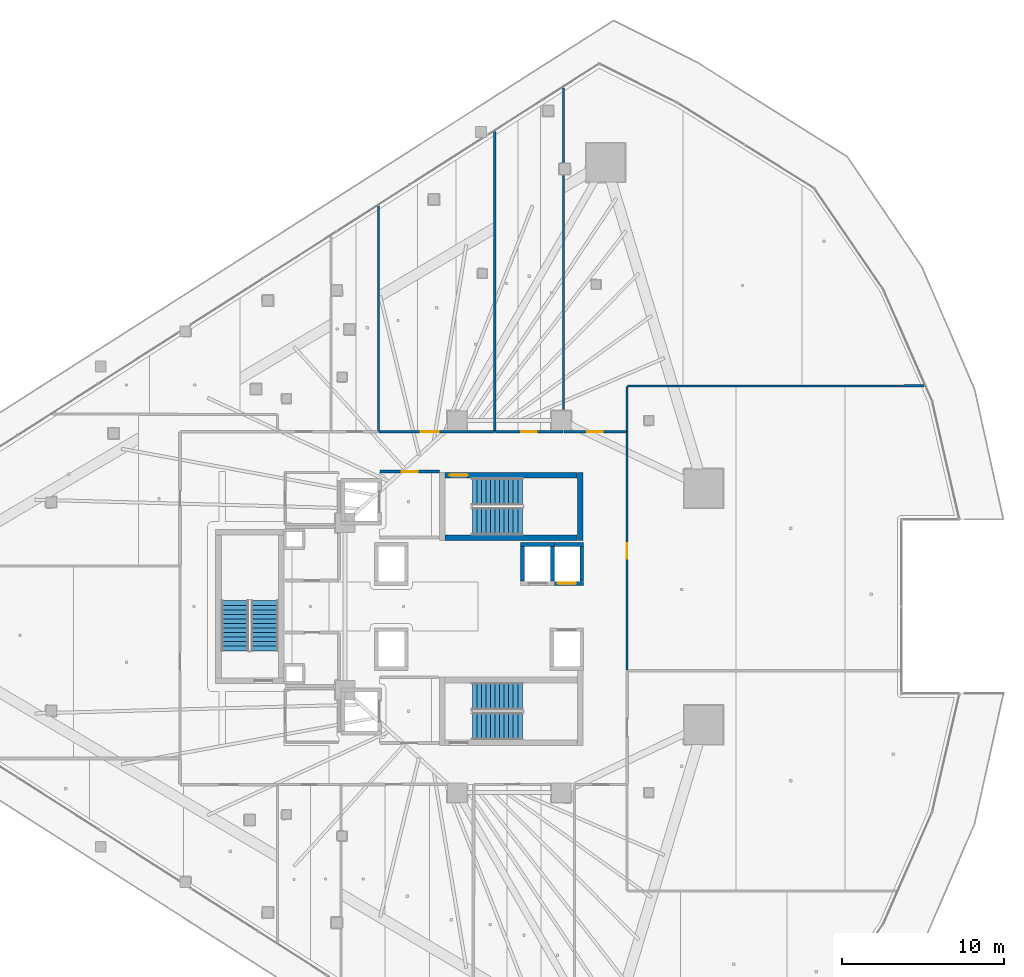
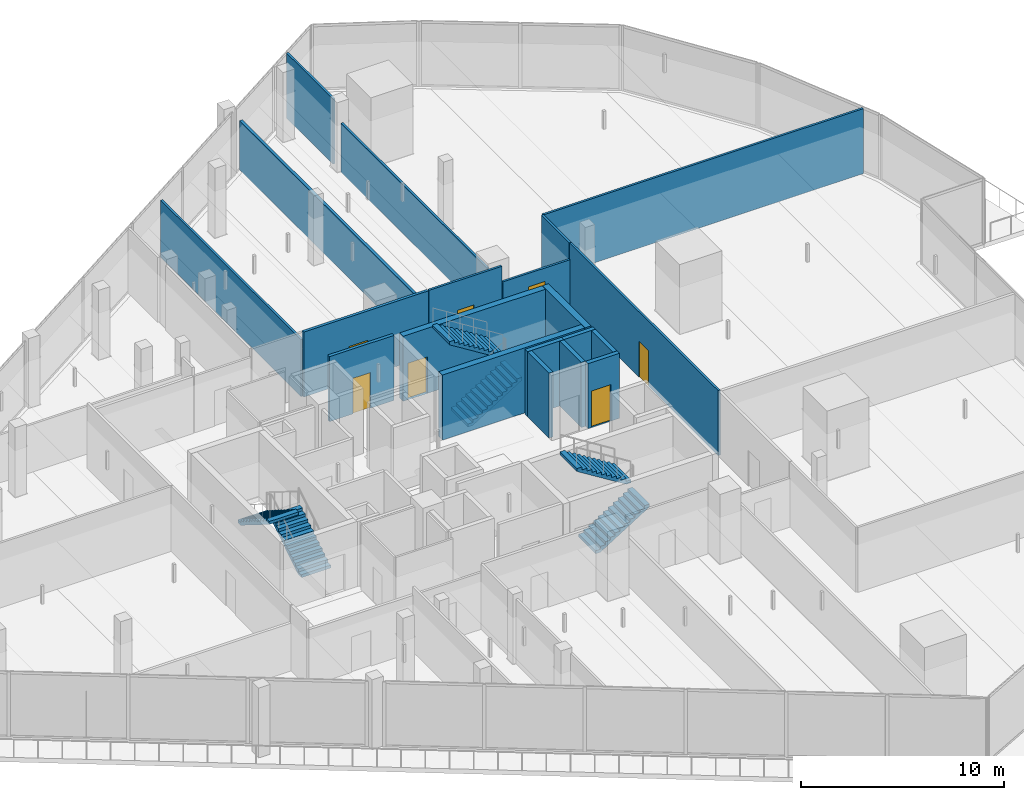
# One storey, part 31 of 44: 20 walls, 7 doors, 6 stair flights, 7 openings, 3 elements without a shape of their own.
"""IFC4 building model written with IfcOpenShell, lengths in metres."""

from ifc_helpers import new_model, si_unit, direction, frame, frame_2d, origin, place, context, subcontext, project, spatial, polyline, rectangle, outline, extrude, material, layer, layer_set, type_object, element, fill, aggregate, save


model = new_model("IFC4")

# Units and contexts
model_context = context("Model", 3, precision=1e-05, world=origin(), true_north=direction((0.0, 1.0)))
body_context = subcontext(model_context, "Body", "Model", "MODEL_VIEW")
ifc_project = project(units=[si_unit("LENGTHUNIT", "METRE"), si_unit("AREAUNIT", "SQUARE_METRE"), si_unit("VOLUMEUNIT", "CUBIC_METRE"), si_unit("PLANEANGLEUNIT", "RADIAN"), si_unit("MASSUNIT", "GRAM", prefix="KILO")], contexts=[model_context])

# Site, building, storey
site_placement = place(None, origin())
site = spatial("IfcSite", under=ifc_project, at=site_placement, CompositionType="ELEMENT")
building_placement = place(site_placement, origin())
building = spatial("IfcBuilding", under=site, at=building_placement, Name="Qorvath Tower", CompositionType="ELEMENT")
storey_placement = place(building_placement, frame((0.0, 0.0, 53.39990234375)))
storey = spatial("IfcBuildingStorey", under=building, at=storey_placement, Name="L11", CompositionType="ELEMENT", Elevation=53.39990234375)

# Wall, opening, door
ifc_material_1 = material(Name="Gypsum shaftliner on steel studs", Category="steel")
ifc_layer_1 = layer(ifc_material_1, 0.179931640625)
ifc_layer_set_1 = layer_set([ifc_layer_1], Name="FW-LOBBY")
wall_type_1 = type_object("IfcWallType", Name="FW-LOBBY", PredefinedType="PARTITIONING", material=ifc_layer_set_1)
wall_1_placement = place(storey_placement, frame((-24.68408203125, 8.300048828125, 0.0), z_axis=(0.0, 0.0, 1.0), x_axis=(-1.0, 0.0, 0.0)))
wall_1 = element("IfcWall", 1, at=wall_1_placement, inside=storey, type_object=wall_type_1, Name="Interior Partition IW-T1-L11-002", PredefinedType="PARTITIONING", context=body_context, shape_type="SweptSolid", body=[
    extrude(rectangle(XDim=3.6708984375, YDim=0.179931640625, at=frame_2d((1.83544921875, 0.0))), origin(), (0.0, 0.0, 1.0), 3.920166015625),
])
opening_1_placement = place(wall_1_placement, frame((1.33544921875, 0.0, 0.0)))
opening_1 = element("IfcOpeningElement", 2, at=opening_1_placement, cuts=wall_1, Name="Opening D-T1-L11-19", PredefinedType="OPENING", context=body_context, shape_type="SweptSolid", body=[
    extrude(rectangle(XDim=1.0, YDim=2.14990234375, at=frame_2d((0.5, 1.074951171875))), frame((0.0, 0.10009765625, 0.0), z_axis=(0.0, -1.0, 0.0), x_axis=(1.0, 0.0, 0.0)), (0.0, 0.0, 1.0), 0.199951171875),
])
ifc_material_2 = material(Name="Painted galvanised hollow metal", Category="steel")
door_type_1 = type_object("IfcDoorType", Name="FD-60", OperationType="NOTDEFINED", PredefinedType="DOOR", material=ifc_material_2)
door_1_placement = place(opening_1_placement, origin())
door_1 = element("IfcDoor", 3, at=door_1_placement, inside=storey, type_object=door_type_1, Name="Lobby Fire Service Elevator North Door D-T1-L11-19", OperationType="SINGLE_SWING_LEFT", OverallHeight=2.14990234375, OverallWidth=1.0, PredefinedType="DOOR", context=body_context, shape_type="SweptSolid", body=[
    extrude(rectangle(XDim=1.0, YDim=2.14990234375, at=frame_2d((0.5, 1.074951171875))), frame((0.0, 0.02490234375, 0.0), z_axis=(0.0, -1.0, 0.0), x_axis=(1.0, 0.0, 0.0)), (0.0, 0.0, 1.0), 0.050048828125),
])
fill(opening_1, door_1)

ifc_material_3 = material(Name="Double acoustic gypsum board on steel studs", Category="steel")
ifc_layer_2 = layer(ifc_material_3, 0.159912109375)
ifc_layer_set_2 = layer_set([ifc_layer_2], Name="IW-ACOUSTIC-160")
wall_type_2 = type_object("IfcWallType", Name="IW-ACOUSTIC-160", PredefinedType="PARTITIONING", material=ifc_layer_set_2)
wall_2_placement = place(storey_placement, frame((-28.404296875, 10.758056640625, 0.0), z_axis=(0.0, 0.0, 1.0), x_axis=(1.0, 0.0, 0.0)))
wall_2 = element("IfcWall", 4, at=wall_2_placement, inside=storey, type_object=wall_type_2, Name="Interior Partition IW-T1-L11-026", PredefinedType="PARTITIONING", context=body_context, shape_type="SweptSolid", body=[
    extrude(rectangle(XDim=7.102294921875, YDim=0.159912109375, at=frame_2d((3.55126953125, 0.0))), origin(), (0.0, 0.0, 1.0), 3.920166015625),
])
opening_2_placement = place(wall_2_placement, frame((2.572509765625, 0.0, 0.0)))
opening_2 = element("IfcOpeningElement", 5, at=opening_2_placement, cuts=wall_2, Name="Opening D-T1-L11-07", PredefinedType="OPENING", context=body_context, shape_type="SweptSolid", body=[
    extrude(rectangle(XDim=1.10009765625, YDim=2.14990234375, at=frame_2d((0.550048828125, 1.074951171875))), frame((0.0, 0.08984375, 0.0), z_axis=(0.0, -1.0, 0.0), x_axis=(1.0, 0.0, 0.0)), (0.0, 0.0, 1.0), 0.179931640625),
])
ifc_material_4 = material(Name="Anodised aluminium acoustic framed glass", Category="aluminium")
door_type_2 = type_object("IfcDoorType", Name="D-03", OperationType="NOTDEFINED", PredefinedType="DOOR", material=ifc_material_4)
door_2_placement = place(opening_2_placement, origin())
door_2 = element("IfcDoor", 6, at=door_2_placement, inside=storey, type_object=door_type_2, Name="L11-03 Client Services Office Door D-T1-L11-07", OperationType="SINGLE_SWING_LEFT", OverallHeight=2.14990234375, OverallWidth=1.10009765625, PredefinedType="DOOR", context=body_context, shape_type="SweptSolid", body=[
    extrude(rectangle(XDim=1.10009765625, YDim=2.14990234375, at=frame_2d((0.550048828125, 1.074951171875))), frame((0.0, 0.02490234375, 0.0), z_axis=(0.0, -1.0, 0.0), x_axis=(1.0, 0.0, 0.0)), (0.0, 0.0, 1.0), 0.050048828125),
])
fill(opening_2, door_2)

# Walls
wall_3_placement = place(storey_placement, frame((-21.277099609375, 10.783203125, 0.0), z_axis=(0.0, 0.0, 1.0), x_axis=(-0.000172080584, 0.999999985194, 0.0)))
element("IfcWall", 7, at=wall_3_placement, inside=storey, type_object=wall_type_2, Name="Interior Partition IW-T1-L11-027", PredefinedType="PARTITIONING", context=body_context, shape_type="SweptSolid", body=[
    extrude(rectangle(XDim=18.44384765625, YDim=0.159912109375, at=frame_2d((9.221923828125, 0.0))), origin(), (0.0, 0.0, 1.0), 2.95703125),
])
ifc_material_5 = material(Name="Gypsum board on metal studs with mineral wool", Category="gypsum")
ifc_layer_3 = layer(ifc_material_5, 0.125)
ifc_layer_set_3 = layer_set([ifc_layer_3], Name="IW-PART-125")
wall_type_3 = type_object("IfcWallType", Name="IW-PART-125", PredefinedType="PARTITIONING", material=ifc_layer_set_3)
wall_4_placement = place(storey_placement, frame((-28.4375, 10.783203125, 0.0), z_axis=(0.0, 0.0, 1.0), x_axis=(0.0, 1.0, 0.0)))
element("IfcWall", 8, at=wall_4_placement, inside=storey, type_object=wall_type_3, Name="Interior Partition IW-T1-L11-025", PredefinedType="PARTITIONING", context=body_context, shape_type="SweptSolid", body=[
    extrude(rectangle(XDim=13.869384765625, YDim=0.125, at=frame_2d((6.9345703125, 0.0))), origin(), (0.0, 0.0, 1.0), 3.43310546875),
])

# Wall, opening, door
wall_5_placement = place(storey_placement, frame((-21.243896484375, 10.758056640625, 0.0), z_axis=(0.0, 0.0, 1.0), x_axis=(1.0, 0.0, 0.0)))
wall_5 = element("IfcWall", 9, at=wall_5_placement, inside=storey, type_object=wall_type_3, Name="Interior Partition IW-T1-L11-028", PredefinedType="PARTITIONING", context=body_context, shape_type="SweptSolid", body=[
    extrude(rectangle(XDim=4.150146484375, YDim=0.125, at=frame_2d((2.0751953125, 0.0))), origin(), (0.0, 0.0, 1.0), 3.920166015625),
])
opening_3_placement = place(wall_5_placement, frame((1.60009765625, 0.0, 0.0)))
opening_3 = element("IfcOpeningElement", 10, at=opening_3_placement, cuts=wall_5, Name="Opening D-T1-L11-08", PredefinedType="OPENING", context=body_context, shape_type="SweptSolid", body=[
    extrude(rectangle(XDim=0.949951171875, YDim=2.14990234375, at=frame_2d((0.47509765625, 1.074951171875))), frame((0.0, 0.072509765625, 0.0), z_axis=(0.0, -1.0, 0.0), x_axis=(1.0, 0.0, 0.0)), (0.0, 0.0, 1.0), 0.14501953125),
])
ifc_material_6 = material(Name="Solid-core American white oak veneer", Category="wood")
door_type_3 = type_object("IfcDoorType", Name="D-01", OperationType="NOTDEFINED", PredefinedType="DOOR", material=ifc_material_6)
door_3_placement = place(opening_3_placement, origin())
door_3 = element("IfcDoor", 11, at=door_3_placement, inside=storey, type_object=door_type_3, Name="L11-04 Staff Wellness Studio Door D-T1-L11-08", OperationType="SINGLE_SWING_RIGHT", OverallHeight=2.14990234375, OverallWidth=0.949951171875, PredefinedType="DOOR", context=body_context, shape_type="SweptSolid", body=[
    extrude(rectangle(XDim=0.949951171875, YDim=2.14990234375, at=frame_2d((0.47509765625, 1.074951171875))), frame((0.0, 0.02490234375, 0.0), z_axis=(0.0, -1.0, 0.0), x_axis=(1.0, 0.0, 0.0)), (0.0, 0.0, 1.0), 0.050048828125),
])
fill(opening_3, door_3)

# Walls
wall_6_placement = place(storey_placement, frame((-17.06884765625, 12.114990234375, 0.0), z_axis=(0.0, 0.0, 1.0), x_axis=(0.0, 1.0, 0.0)))
element("IfcWall", 12, at=wall_6_placement, inside=storey, type_object=wall_type_3, Name="Interior Partition IW-T1-L11-029", PredefinedType="PARTITIONING", context=body_context, shape_type="SweptSolid", body=[
    extrude(rectangle(XDim=14.42431640625, YDim=0.125, at=frame_2d((7.212158203125, 0.0))), origin(), (0.0, 0.0, 1.0), 2.95703125),
])
wall_7_placement = place(storey_placement, frame((-17.06884765625, 27.319091796875, 0.0), z_axis=(0.0, 0.0, 1.0), x_axis=(0.0, 1.0, 0.0)))
element("IfcWall", 13, at=wall_7_placement, inside=storey, type_object=wall_type_3, Name="Interior Partition IW-T1-L11-030", PredefinedType="PARTITIONING", context=body_context, shape_type="SweptSolid", body=[
    extrude(rectangle(XDim=4.599609375, YDim=0.125, at=frame_2d((2.2998046875, 0.0))), origin(), (0.0, 0.0, 1.0), 3.920166015625),
])

# Wall, opening, door
wall_8_placement = place(storey_placement, frame((-17.035888671875, 10.758056640625, 0.0), z_axis=(0.0, 0.0, 1.0), x_axis=(1.0, 0.0, 0.0)))
wall_8 = element("IfcWall", 14, at=wall_8_placement, inside=storey, type_object=wall_type_3, Name="Interior Partition IW-T1-L11-031", PredefinedType="PARTITIONING", context=body_context, shape_type="SweptSolid", body=[
    extrude(rectangle(XDim=3.861083984375, YDim=0.125, at=frame_2d((1.9306640625, 0.0))), origin(), (0.0, 0.0, 1.0), 2.95703125),
])
opening_4_placement = place(wall_8_placement, frame((1.45556640625, 0.0, 0.0)))
opening_4 = element("IfcOpeningElement", 15, at=opening_4_placement, cuts=wall_8, Name="Opening D-T1-L11-09", PredefinedType="OPENING", context=body_context, shape_type="SweptSolid", body=[
    extrude(rectangle(XDim=0.949951171875, YDim=2.14990234375, at=frame_2d((0.47509765625, 1.074951171875))), frame((0.0, 0.072509765625, 0.0), z_axis=(0.0, -1.0, 0.0), x_axis=(1.0, 0.0, 0.0)), (0.0, 0.0, 1.0), 0.14501953125),
])
door_4_placement = place(opening_4_placement, origin())
door_4 = element("IfcDoor", 16, at=door_4_placement, inside=storey, type_object=door_type_3, Name="L11-05 Design Pin-Up Atelier Door D-T1-L11-09", OperationType="SINGLE_SWING_LEFT", OverallHeight=2.14990234375, OverallWidth=0.949951171875, PredefinedType="DOOR", context=body_context, shape_type="SweptSolid", body=[
    extrude(rectangle(XDim=0.949951171875, YDim=2.14990234375, at=frame_2d((0.47509765625, 1.074951171875))), frame((0.0, 0.02490234375, 0.0), z_axis=(0.0, -1.0, 0.0), x_axis=(1.0, 0.0, 0.0)), (0.0, 0.0, 1.0), 0.050048828125),
])
fill(opening_4, door_4)

# Walls
wall_9_placement = place(storey_placement, frame((-13.14990234375, 13.5419921875, 0.0), z_axis=(0.0, 0.0, 1.0), x_axis=(0.0, -1.0, 0.0)))
element("IfcWall", 17, at=wall_9_placement, inside=storey, type_object=wall_type_3, Name="Interior Partition IW-T1-L11-032", PredefinedType="PARTITIONING", context=body_context, shape_type="SweptSolid", body=[
    extrude(rectangle(XDim=2.7587890625, YDim=0.125, at=frame_2d((1.37939453125, 0.0))), origin(), (0.0, 0.0, 1.0), 3.920166015625),
])
wall_10_placement = place(storey_placement, frame((-13.125, 13.56689453125, 0.0), z_axis=(0.0, 0.0, 1.0), x_axis=(0.999999244284, 0.001229403211, 0.0)))
element("IfcWall", 18, at=wall_10_placement, inside=storey, type_object=wall_type_3, Name="Interior Partition IW-T1-L11-033", PredefinedType="PARTITIONING", context=body_context, shape_type="SweptSolid", body=[
    extrude(rectangle(XDim=18.269775390625, YDim=0.125, at=frame_2d((9.134765625, 0.0))), origin(), (0.0, 0.0, 1.0), 3.920166015625),
])

# Wall, opening, door
wall_11_placement = place(storey_placement, frame((-13.14208984375, 10.75830078125, 0.0), z_axis=(0.0, 0.0, 1.0), x_axis=(0.0, -1.0, 0.0)))
wall_11 = element("IfcWall", 19, at=wall_11_placement, inside=storey, type_object=wall_type_3, Name="Interior Partition IW-T1-L11-048", PredefinedType="PARTITIONING", context=body_context, shape_type="SweptSolid", body=[
    extrude(rectangle(XDim=14.66650390625, YDim=0.125, at=frame_2d((7.333251953125, 0.0))), origin(), (0.0, 0.0, 1.0), 3.920166015625),
])
opening_5_placement = place(wall_11_placement, frame((6.858154296875, 0.0, 0.0)))
opening_5 = element("IfcOpeningElement", 20, at=opening_5_placement, cuts=wall_11, Name="Opening D-T1-L11-15", PredefinedType="OPENING", context=body_context, shape_type="SweptSolid", body=[
    extrude(rectangle(XDim=0.949951171875, YDim=2.14990234375, at=frame_2d((0.47509765625, 1.074951171875))), frame((0.0, 0.072509765625, 0.0), z_axis=(0.0, -1.0, 0.0), x_axis=(1.0, 0.0, 0.0)), (0.0, 0.0, 1.0), 0.14501953125),
])
door_5_placement = place(opening_5_placement, origin())
door_5 = element("IfcDoor", 21, at=door_5_placement, inside=storey, type_object=door_type_3, Name="L11-11 Focus Collaboration Pod Door D-T1-L11-15", OperationType="SINGLE_SWING_LEFT", OverallHeight=2.14990234375, OverallWidth=0.949951171875, PredefinedType="DOOR", context=body_context, shape_type="SweptSolid", body=[
    extrude(rectangle(XDim=0.949951171875, YDim=2.14990234375, at=frame_2d((0.47509765625, 1.074951171875))), frame((0.0, 0.02490234375, 0.0), z_axis=(0.0, -1.0, 0.0), x_axis=(1.0, 0.0, 0.0)), (0.0, 0.0, 1.0), 0.050048828125),
])
fill(opening_5, door_5)

# Walls
ifc_material_7 = material(Name="Concrete C60/75", Category="concrete")
ifc_layer_4 = layer(ifc_material_7, 0.260009765625)
ifc_layer_set_4 = layer_set([ifc_layer_4], Name="SW-SHAFT")
wall_type_4 = type_object("IfcWallType", Name="SW-SHAFT", PredefinedType="SHEAR", material=ifc_layer_set_4)
wall_12_placement = place(storey_placement, frame((-19.68994140625, 3.820068359375, 0.0), z_axis=(0.0, 0.0, 1.0), x_axis=(1.0, 0.0, 0.0)))
element("IfcWall", 22, at=wall_12_placement, inside=storey, type_object=wall_type_4, Name="Hoistway Wall PL-1 L11 N", PredefinedType="SHEAR", context=body_context, shape_type="SweptSolid", body=[
    extrude(rectangle(XDim=2.079833984375, YDim=0.239990234375, at=frame_2d((1.0400390625, 0.0))), origin(), (0.0, 0.0, 1.0), 3.920166015625),
])
for number, where, z_axis, x_axis, name in (
    (23, (-19.570068359375, 1.56201171875, 0.0), (0.0, 0.0, 1.0), (0.0, 1.0, 0.0), "Hoistway Wall PL-1 L11 W"),
    (24, (-17.72998046875, 3.68798828125, 0.0), (0.0, 0.0, 1.0), (0.0, -1.0, 0.0), "Hoistway Wall PL-1 L11 E"),
):
    element("IfcWall", number, at=place(storey_placement, frame(where, z_axis=z_axis, x_axis=x_axis)), inside=storey, type_object=wall_type_4, Name=name, PredefinedType="SHEAR", context=body_context, shape_type="SweptSolid", body=[
        extrude(rectangle(XDim=2.1259765625, YDim=0.239990234375, at=frame_2d((1.06298828125, 0.0))), origin(), (0.0, 0.0, 1.0), 3.920166015625),
    ])

# Wall, opening, door
wall_13_placement = place(storey_placement, frame((-15.81005859375, 1.429931640625, 0.0), z_axis=(0.0, 0.0, 1.0), x_axis=(-1.0, 0.0, 0.0)))
wall_13 = element("IfcWall", 25, at=wall_13_placement, inside=storey, type_object=wall_type_4, Name="Hoistway Wall PL-3 L11 S", PredefinedType="SHEAR", context=body_context, shape_type="SweptSolid", body=[
    extrude(rectangle(XDim=1.800048828125, YDim=0.239990234375, at=frame_2d((0.89990234375, 0.0))), origin(), (0.0, 0.0, 1.0), 3.920166015625),
])
opening_6_placement = place(wall_13_placement, frame((0.489990234375, 0.0, 0.0)))
opening_6 = element("IfcOpeningElement", 26, at=opening_6_placement, cuts=wall_13, Name="Opening LD-PL-3-L11", PredefinedType="OPENING", context=body_context, shape_type="SweptSolid", body=[
    extrude(rectangle(XDim=1.10009765625, YDim=2.199951171875, at=frame_2d((0.550048828125, 1.10009765625))), frame((0.0, 0.1298828125, 0.0), z_axis=(0.0, -1.0, 0.0), x_axis=(1.0, 0.0, 0.0)), (0.0, 0.0, 1.0), 0.260009765625),
])
ifc_material_8 = material(Name="Brushed stainless steel AISI 316", Category="steel")
door_type_4 = type_object("IfcDoorType", Name="LD-01", OperationType="NOTDEFINED", PredefinedType="DOOR", material=ifc_material_8)
door_6_placement = place(opening_6_placement, origin())
door_6 = element("IfcDoor", 27, at=door_6_placement, inside=storey, type_object=door_type_4, Name="Elevator Landing Sliding Door LD-PL-3-L11", OperationType="DOUBLE_DOOR_SLIDING", OverallHeight=2.199951171875, OverallWidth=1.10009765625, PredefinedType="DOOR", context=body_context, shape_type="SweptSolid", body=[
    extrude(rectangle(XDim=1.10009765625, YDim=2.199951171875, at=frame_2d((0.550048828125, 1.10009765625))), frame((0.0, 0.02490234375, 0.0), z_axis=(0.0, -1.0, 0.0), x_axis=(1.0, 0.0, 0.0)), (0.0, 0.0, 1.0), 0.050048828125),
])
fill(opening_6, door_6)

# Walls
wall_14_placement = place(storey_placement, frame((-17.610107421875, 3.820068359375, 0.0), z_axis=(0.0, 0.0, 1.0), x_axis=(1.0, 0.0, 0.0)))
element("IfcWall", 28, at=wall_14_placement, inside=storey, type_object=wall_type_4, Name="Hoistway Wall PL-3 L11 N", PredefinedType="SHEAR", context=body_context, shape_type="SweptSolid", body=[
    extrude(rectangle(XDim=1.800048828125, YDim=0.239990234375, at=frame_2d((0.89990234375, 0.0))), origin(), (0.0, 0.0, 1.0), 3.920166015625),
])
wall_15_placement = place(storey_placement, frame((-15.929931640625, 3.68798828125, 0.0), z_axis=(0.0, 0.0, 1.0), x_axis=(0.0, -1.0, 0.0)))
element("IfcWall", 29, at=wall_15_placement, inside=storey, type_object=wall_type_4, Name="Hoistway Wall PL-3 L11 E", PredefinedType="SHEAR", context=body_context, shape_type="SweptSolid", body=[
    extrude(rectangle(XDim=2.1259765625, YDim=0.239990234375, at=frame_2d((1.06298828125, 0.0))), origin(), (0.0, 0.0, 1.0), 3.920166015625),
])
ifc_material_9 = material(Name="Concrete C60/75", Category="concrete")
ifc_layer_5 = layer(ifc_material_9, 0.35009765625)
ifc_layer_set_5 = layer_set([ifc_layer_5], Name="SW-STAIR")
wall_type_5 = type_object("IfcWallType", Name="SW-STAIR", PredefinedType="SHEAR", material=ifc_layer_set_5)
wall_16_placement = place(storey_placement, frame((-16.02490234375, 4.050048828125, 0.0), z_axis=(0.0, 0.0, 1.0), x_axis=(0.0, 1.0, 0.0)))
element("IfcWall", 30, at=wall_16_placement, inside=storey, type_object=wall_type_5, Name="Stair TS1 Shear Wall L11 FAR", PredefinedType="SHEAR", context=body_context, shape_type="SweptSolid", body=[
    extrude(rectangle(XDim=4.2099609375, YDim=0.35009765625, at=frame_2d((2.10498046875, 0.0))), origin(), (0.0, 0.0, 1.0), 3.920166015625),
])
wall_17_placement = place(storey_placement, frame((-24.3349609375, 4.22509765625, 0.0), z_axis=(0.0, 0.0, 1.0), x_axis=(1.0, 0.0, 0.0)))
element("IfcWall", 31, at=wall_17_placement, inside=storey, type_object=wall_type_5, Name="Stair TS1 Shear Wall L11 LEFT", PredefinedType="SHEAR", context=body_context, shape_type="SweptSolid", body=[
    extrude(rectangle(XDim=8.119873046875, YDim=0.35009765625, at=frame_2d((4.06005859375, 0.0))), origin(), (0.0, 0.0, 1.0), 3.920166015625),
])

# Wall, opening, door
wall_18_placement = place(storey_placement, frame((-16.215087890625, 8.0849609375, 0.0), z_axis=(0.0, 0.0, 1.0), x_axis=(-1.0, 0.0, 0.0)))
wall_18 = element("IfcWall", 32, at=wall_18_placement, inside=storey, type_object=wall_type_5, Name="Stair TS1 Shear Wall L11 RIGHT", PredefinedType="SHEAR", context=body_context, shape_type="SweptSolid", body=[
    extrude(rectangle(XDim=8.119873046875, YDim=0.35009765625, at=frame_2d((4.06005859375, 0.0))), origin(), (0.0, 0.0, 1.0), 3.920166015625),
])
opening_7_placement = place(wall_18_placement, frame((6.739990234375, 0.0, 0.0)))
opening_7 = element("IfcOpeningElement", 33, at=opening_7_placement, cuts=wall_18, Name="Opening D-TS1-L11", PredefinedType="OPENING", context=body_context, shape_type="SweptSolid", body=[
    extrude(rectangle(XDim=1.10009765625, YDim=2.199951171875, at=frame_2d((0.550048828125, 1.10009765625))), frame((0.0, 0.18505859375, 0.0), z_axis=(0.0, -1.0, 0.0), x_axis=(1.0, 0.0, 0.0)), (0.0, 0.0, 1.0), 0.3701171875),
])
ifc_material_10 = material(Name="Painted galvanised hollow metal", Category="steel")
door_type_5 = type_object("IfcDoorType", Name="FD-90", OperationType="NOTDEFINED", PredefinedType="DOOR", material=ifc_material_10)
door_7_placement = place(opening_7_placement, origin())
door_7 = element("IfcDoor", 34, at=door_7_placement, inside=storey, type_object=door_type_5, Name="Stair TS1 Fire Door L11", OperationType="SINGLE_SWING_RIGHT", OverallHeight=2.199951171875, OverallWidth=1.10009765625, PredefinedType="DOOR", context=body_context, shape_type="SweptSolid", body=[
    extrude(rectangle(XDim=1.10009765625, YDim=2.199951171875, at=frame_2d((0.550048828125, 1.10009765625))), frame((0.0, 0.02490234375, 0.0), z_axis=(0.0, -1.0, 0.0), x_axis=(1.0, 0.0, 0.0)), (0.0, 0.0, 1.0), 0.050048828125),
])
fill(opening_7, door_7)

# Stair, stair flights
ifc_material_11 = material(Name="Concrete C50/60", Category="concrete")
stair_type = type_object("IfcStairType", Name="ST-H420", PredefinedType="HALF_TURN_STAIR", material=ifc_material_11)
stair_1_placement = place(storey_placement, origin())
stair_1 = element("IfcStair", 35, at=stair_1_placement, inside=storey, type_object=stair_type, Name="L11 Tower Exit Stair 1", PredefinedType="HALF_TURN_STAIR")
ifc_material_12 = material(Name="Concrete C50/60", Category="concrete")
ifc_layer_6 = layer(ifc_material_12, 0.14990234375)
ifc_layer_set_6 = layer_set([ifc_layer_6], Name="SF-H420")
stair_flight_type = type_object("IfcStairFlightType", Name="SF-H420", PredefinedType="STRAIGHT", material=ifc_layer_set_6)
stair_flight_1_placement = place(storey_placement, frame((-22.669921875, 5.239990234375, 0.0), z_axis=(0.0, 0.0, 1.0), x_axis=(1.0, 0.0, 0.0)))
stair_flight_1 = element("IfcStairFlight", 36, at=stair_flight_1_placement, type_object=stair_flight_type, Name="TS1 flight 1", NumberOfRisers=12, NumberOfTreads=11, PredefinedType="STRAIGHT", RiserHeight=0.175, TreadLength=0.28, context=body_context, shape_type="SweptSolid", body=[
    extrude(outline(polyline([(0.0, 0.0), (0.0, 0.175048828125), (0.280029296875, 0.175048828125), (0.280029296875, 0.35009765625), (0.56005859375, 0.35009765625), (0.56005859375, 0.52490234375), (0.840087890625, 0.52490234375), (0.840087890625, 0.699951171875), (1.1201171875, 0.699951171875), (1.1201171875, 0.875), (1.39990234375, 0.875), (1.39990234375, 1.050048828125), (1.679931640625, 1.050048828125), (1.679931640625, 1.22509765625), (1.9599609375, 1.22509765625), (1.9599609375, 1.39990234375), (2.239990234375, 1.39990234375), (2.239990234375, 1.574951171875), (2.52001953125, 1.574951171875), (2.52001953125, 1.75), (2.800048828125, 1.75), (2.800048828125, 1.925048828125), (3.080078125, 1.925048828125), (3.080078125, 2.10009765625), (3.080078125, 1.748291015625), (0.28271484375, 0.0), (0.0, 0.0)])), frame((0.0, 0.83984375, 0.0), z_axis=(0.0, -1.0, 0.0), x_axis=(1.0, 0.0, 0.0)), (0.0, 0.0, 1.0), 1.679931640625),
])
stair_flight_2_placement = place(storey_placement, frame((-19.590087890625, 7.070068359375, 2.10009765625), z_axis=(0.0, 0.0, 1.0), x_axis=(-1.0, 0.0, 0.0)))
stair_flight_2 = element("IfcStairFlight", 37, at=stair_flight_2_placement, type_object=stair_flight_type, Name="TS1 flight 2", NumberOfRisers=12, NumberOfTreads=11, PredefinedType="STRAIGHT", RiserHeight=0.175, TreadLength=0.28, context=body_context, shape_type="SweptSolid", body=[
    extrude(outline(polyline([(0.0, 0.0), (0.0, 0.175048828125), (0.280029296875, 0.175048828125), (0.280029296875, 0.35009765625), (0.56005859375, 0.35009765625), (0.56005859375, 0.52490234375), (0.840087890625, 0.52490234375), (0.840087890625, 0.699951171875), (1.1201171875, 0.699951171875), (1.1201171875, 0.875), (1.39990234375, 0.875), (1.39990234375, 1.050048828125), (1.679931640625, 1.050048828125), (1.679931640625, 1.22509765625), (1.9599609375, 1.22509765625), (1.9599609375, 1.39990234375), (2.239990234375, 1.39990234375), (2.239990234375, 1.574951171875), (2.52001953125, 1.574951171875), (2.52001953125, 1.75), (2.800048828125, 1.75), (2.800048828125, 1.925048828125), (3.080078125, 1.925048828125), (3.080078125, 2.10009765625), (3.080078125, 1.748291015625), (0.28271484375, 0.0), (0.0, 0.0)])), frame((0.0, 0.83984375, 0.0), z_axis=(0.0, -1.0, 0.0), x_axis=(1.0, 0.0, 0.0)), (0.0, 0.0, 1.0), 1.679931640625),
])
aggregate(stair_1, [stair_flight_1, stair_flight_2])

stair_2_placement = place(storey_placement, origin())
stair_2 = element("IfcStair", 38, at=stair_2_placement, inside=storey, type_object=stair_type, Name="L11 Tower Exit Stair 2", PredefinedType="HALF_TURN_STAIR")
stair_flight_3_placement = place(storey_placement, frame((-22.669921875, -7.360107421875, 0.0), z_axis=(0.0, 0.0, 1.0), x_axis=(1.0, 0.0, 0.0)))
stair_flight_3 = element("IfcStairFlight", 39, at=stair_flight_3_placement, type_object=stair_flight_type, Name="TS2 flight 1", NumberOfRisers=12, NumberOfTreads=11, PredefinedType="STRAIGHT", RiserHeight=0.175, TreadLength=0.28, context=body_context, shape_type="SweptSolid", body=[
    extrude(outline(polyline([(0.0, 0.0), (0.0, 0.175048828125), (0.280029296875, 0.175048828125), (0.280029296875, 0.35009765625), (0.56005859375, 0.35009765625), (0.56005859375, 0.52490234375), (0.840087890625, 0.52490234375), (0.840087890625, 0.699951171875), (1.1201171875, 0.699951171875), (1.1201171875, 0.875), (1.39990234375, 0.875), (1.39990234375, 1.050048828125), (1.679931640625, 1.050048828125), (1.679931640625, 1.22509765625), (1.9599609375, 1.22509765625), (1.9599609375, 1.39990234375), (2.239990234375, 1.39990234375), (2.239990234375, 1.574951171875), (2.52001953125, 1.574951171875), (2.52001953125, 1.75), (2.800048828125, 1.75), (2.800048828125, 1.925048828125), (3.080078125, 1.925048828125), (3.080078125, 2.10009765625), (3.080078125, 1.748291015625), (0.28271484375, 0.0), (0.0, 0.0)])), frame((0.0, 0.83984375, 0.0), z_axis=(0.0, -1.0, 0.0), x_axis=(1.0, 0.0, 0.0)), (0.0, 0.0, 1.0), 1.679931640625),
])
stair_flight_4_placement = place(storey_placement, frame((-19.590087890625, -5.530029296875, 2.10009765625), z_axis=(0.0, 0.0, 1.0), x_axis=(-1.0, 0.0, 0.0)))
stair_flight_4 = element("IfcStairFlight", 40, at=stair_flight_4_placement, type_object=stair_flight_type, Name="TS2 flight 2", NumberOfRisers=12, NumberOfTreads=11, PredefinedType="STRAIGHT", RiserHeight=0.175, TreadLength=0.28, context=body_context, shape_type="SweptSolid", body=[
    extrude(outline(polyline([(0.0, 0.0), (0.0, 0.175048828125), (0.280029296875, 0.175048828125), (0.280029296875, 0.35009765625), (0.56005859375, 0.35009765625), (0.56005859375, 0.52490234375), (0.840087890625, 0.52490234375), (0.840087890625, 0.699951171875), (1.1201171875, 0.699951171875), (1.1201171875, 0.875), (1.39990234375, 0.875), (1.39990234375, 1.050048828125), (1.679931640625, 1.050048828125), (1.679931640625, 1.22509765625), (1.9599609375, 1.22509765625), (1.9599609375, 1.39990234375), (2.239990234375, 1.39990234375), (2.239990234375, 1.574951171875), (2.52001953125, 1.574951171875), (2.52001953125, 1.75), (2.800048828125, 1.75), (2.800048828125, 1.925048828125), (3.080078125, 1.925048828125), (3.080078125, 2.10009765625), (3.080078125, 1.748291015625), (0.28271484375, 0.0), (0.0, 0.0)])), frame((0.0, 0.83984375, 0.0), z_axis=(0.0, -1.0, 0.0), x_axis=(1.0, 0.0, 0.0)), (0.0, 0.0, 1.0), 1.679931640625),
])
aggregate(stair_2, [stair_flight_3, stair_flight_4])

stair_3_placement = place(storey_placement, origin())
stair_3 = element("IfcStair", 41, at=stair_3_placement, inside=storey, type_object=stair_type, Name="L11 Tower Exit Stair 3", PredefinedType="HALF_TURN_STAIR")
stair_flight_5_placement = place(storey_placement, frame((-35.43994140625, -2.719970703125, 0.0), z_axis=(0.0, 0.0, 1.0), x_axis=(0.0, 1.0, 0.0)))
stair_flight_5 = element("IfcStairFlight", 42, at=stair_flight_5_placement, type_object=stair_flight_type, Name="TS3 flight 1", NumberOfRisers=12, NumberOfTreads=11, PredefinedType="STRAIGHT", RiserHeight=0.175, TreadLength=0.28, context=body_context, shape_type="SweptSolid", body=[
    extrude(outline(polyline([(0.0, 0.0), (0.0, 0.175048828125), (0.280029296875, 0.175048828125), (0.280029296875, 0.35009765625), (0.56005859375, 0.35009765625), (0.56005859375, 0.52490234375), (0.840087890625, 0.52490234375), (0.840087890625, 0.699951171875), (1.1201171875, 0.699951171875), (1.1201171875, 0.875), (1.39990234375, 0.875), (1.39990234375, 1.050048828125), (1.679931640625, 1.050048828125), (1.679931640625, 1.22509765625), (1.9599609375, 1.22509765625), (1.9599609375, 1.39990234375), (2.239990234375, 1.39990234375), (2.239990234375, 1.574951171875), (2.52001953125, 1.574951171875), (2.52001953125, 1.75), (2.800048828125, 1.75), (2.800048828125, 1.925048828125), (3.080078125, 1.925048828125), (3.080078125, 2.10009765625), (3.080078125, 1.748291015625), (0.28271484375, 0.0), (0.0, 0.0)])), frame((0.0, 0.83984375, 0.0), z_axis=(0.0, -1.0, 0.0), x_axis=(1.0, 0.0, 0.0)), (0.0, 0.0, 1.0), 1.679931640625),
])
stair_flight_6_placement = place(storey_placement, frame((-37.27001953125, 0.360107421875, 2.10009765625), z_axis=(0.0, 0.0, 1.0), x_axis=(0.0, -1.0, 0.0)))
stair_flight_6 = element("IfcStairFlight", 43, at=stair_flight_6_placement, type_object=stair_flight_type, Name="TS3 flight 2", NumberOfRisers=12, NumberOfTreads=11, PredefinedType="STRAIGHT", RiserHeight=0.175, TreadLength=0.28, context=body_context, shape_type="SweptSolid", body=[
    extrude(outline(polyline([(0.0, 0.0), (0.0, 0.175048828125), (0.280029296875, 0.175048828125), (0.280029296875, 0.35009765625), (0.56005859375, 0.35009765625), (0.56005859375, 0.52490234375), (0.840087890625, 0.52490234375), (0.840087890625, 0.699951171875), (1.1201171875, 0.699951171875), (1.1201171875, 0.875), (1.39990234375, 0.875), (1.39990234375, 1.050048828125), (1.679931640625, 1.050048828125), (1.679931640625, 1.22509765625), (1.9599609375, 1.22509765625), (1.9599609375, 1.39990234375), (2.239990234375, 1.39990234375), (2.239990234375, 1.574951171875), (2.52001953125, 1.574951171875), (2.52001953125, 1.75), (2.800048828125, 1.75), (2.800048828125, 1.925048828125), (3.080078125, 1.925048828125), (3.080078125, 2.10009765625), (3.080078125, 1.748291015625), (0.28271484375, 0.0), (0.0, 0.0)])), frame((0.0, 0.83984375, 0.0), z_axis=(0.0, -1.0, 0.0), x_axis=(1.0, 0.0, 0.0)), (0.0, 0.0, 1.0), 1.679931640625),
])
aggregate(stair_3, [stair_flight_5, stair_flight_6])

save(model, "model.ifc")
